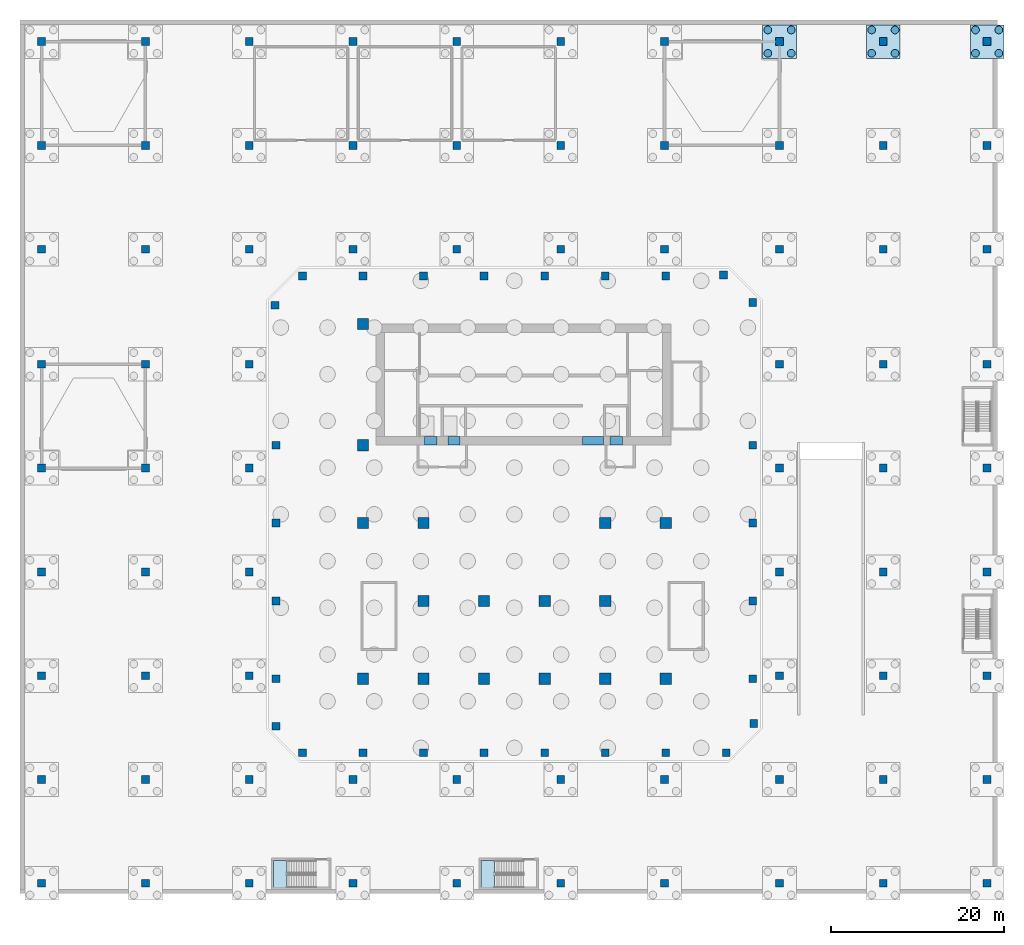
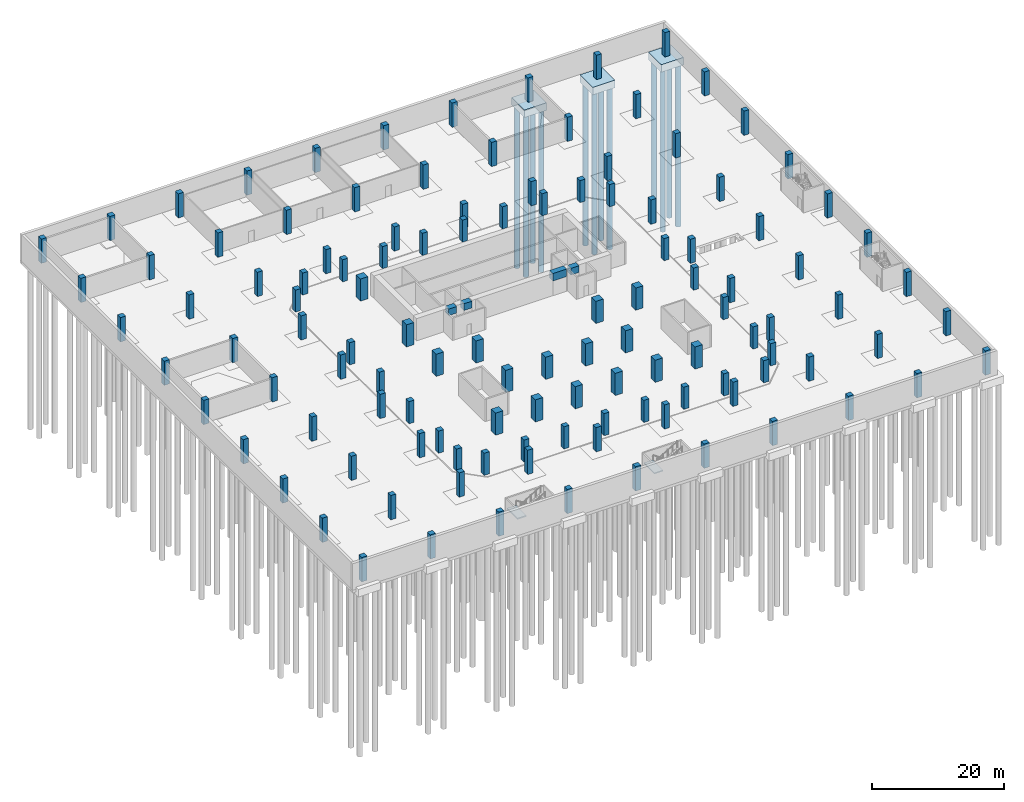
# One storey, part 4 of 15: 118 columns, 12 piles, 4 beams, 3 footings, 2 slabs, 2 elements without a shape of their own.
"""IFC4 building model written with IfcOpenShell, lengths in metres."""

from ifc_helpers import new_model, si_unit, direction, frame, origin, origin_2d, place, context, subcontext, project, spatial, polyline, rectangle, circle, outline, extrude, source, transform, mapped, material, layer, layer_set, material_profile, profile_set, type_object, element, aggregate, save


model = new_model("IFC4")

# Units and contexts
model_context = context("Model", 3, precision=1e-05, world=origin(), true_north=direction((0.0, 1.0)))
body_context = subcontext(model_context, "Body", "Model", "MODEL_VIEW")
ifc_project = project(units=[si_unit("LENGTHUNIT", "METRE"), si_unit("AREAUNIT", "SQUARE_METRE"), si_unit("VOLUMEUNIT", "CUBIC_METRE"), si_unit("PLANEANGLEUNIT", "RADIAN"), si_unit("MASSUNIT", "GRAM", prefix="KILO")], contexts=[model_context])

# Site, building, storey
site_placement = place(None, origin())
site = spatial("IfcSite", under=ifc_project, at=site_placement, CompositionType="ELEMENT")
building_placement = place(site_placement, origin())
building = spatial("IfcBuilding", under=site, at=building_placement, Name="Kilnfold Tower and Market Hall", CompositionType="ELEMENT")
storey_placement = place(building_placement, frame((0.0, 0.0, -9.0)))
storey = spatial("IfcBuildingStorey", under=building, at=storey_placement, Name="B2", CompositionType="ELEMENT", Elevation=-9.0)

# Footings
ifc_material_1 = material(Name="Concrete C40/50", Category="concrete")
footing_type = type_object("IfcFootingType", Name="HALL PILE CAP 3900X3900X1400", PredefinedType="PILE_CAP", material=ifc_material_1)
shared_shape_1 = source(origin(), body_context, "Body", "SweptSolid", [
    extrude(rectangle(XDim=3.89990234375, YDim=3.89990234375, at=origin_2d()), origin(), (0.0, 0.0, 1.0), 1.39990234375),
])
for number, where, z_axis, x_axis, name in (
    (1, (30.64990234375, 54.64990234375, -1.39990234375), (0.0, 0.0, 1.0), (1.0, 0.0, 0.0), "Pile cap PC56"),
    (2, (42.64990234375, 54.64990234375, -1.39990234375), (0.0, 0.0, 1.0), (1.0, 0.0, 0.0), "Pile cap PC65"),
    (3, (54.64990234375, 54.64990234375, -1.39990234375), (0.0, 0.0, 1.0), (1.0, 0.0, 0.0), "Pile cap PC74"),
):
    element("IfcFooting", number, at=place(storey_placement, frame(where, z_axis=z_axis, x_axis=x_axis)), inside=storey, type_object=footing_type, Name=name, PredefinedType="PILE_CAP", context=body_context, shape_type="MappedRepresentation", body=[
        mapped(shared_shape_1, transform((0.0, 0.0, 0.0))),
    ])

# Piles
ifc_material_2 = material(Name="Concrete C40/50", Category="concrete")
ifc_material_profile_1 = material_profile(ifc_material_2, circle(Radius=0.449951171875, at=origin_2d()), Name="D900")
ifc_profile_set_1 = profile_set([ifc_material_profile_1], Name="Concrete C40/50")
pile_type = type_object("IfcPileType", Name="HALL BORED PILE D900", PredefinedType="BORED", material=ifc_profile_set_1)
shared_shape_2 = source(origin(), body_context, "Body", "SweptSolid", [
    extrude(circle(Radius=0.449951171875, at=origin_2d()), origin(), (0.0, 0.0, 1.0), 30.0),
])
for number, where, z_axis, x_axis, name in (
    (4, (29.300048828125, 53.300048828125, -1.300048828125), (0.0, 0.0, -1.0), (1.0, 0.0, 0.0), "Bored pile HP221"),
    (5, (29.300048828125, 56.0, -1.300048828125), (0.0, 0.0, -1.0), (1.0, 0.0, 0.0), "Bored pile HP222"),
    (6, (32.0, 53.300048828125, -1.300048828125), (0.0, 0.0, -1.0), (1.0, 0.0, 0.0), "Bored pile HP223"),
    (7, (32.0, 56.0, -1.300048828125), (0.0, 0.0, -1.0), (1.0, 0.0, 0.0), "Bored pile HP224"),
    (8, (41.300048828125, 53.300048828125, -1.300048828125), (0.0, 0.0, -1.0), (1.0, 0.0, 0.0), "Bored pile HP257"),
    (9, (41.300048828125, 56.0, -1.300048828125), (0.0, 0.0, -1.0), (1.0, 0.0, 0.0), "Bored pile HP258"),
    (10, (44.0, 53.300048828125, -1.300048828125), (0.0, 0.0, -1.0), (1.0, 0.0, 0.0), "Bored pile HP259"),
    (11, (44.0, 56.0, -1.300048828125), (0.0, 0.0, -1.0), (1.0, 0.0, 0.0), "Bored pile HP260"),
    (12, (53.300048828125, 53.300048828125, -1.300048828125), (0.0, 0.0, -1.0), (1.0, 0.0, 0.0), "Bored pile HP293"),
    (13, (53.300048828125, 56.0, -1.300048828125), (0.0, 0.0, -1.0), (1.0, 0.0, 0.0), "Bored pile HP294"),
    (14, (56.0, 53.300048828125, -1.300048828125), (0.0, 0.0, -1.0), (1.0, 0.0, 0.0), "Bored pile HP295"),
    (15, (56.0, 56.0, -1.300048828125), (0.0, 0.0, -1.0), (1.0, 0.0, 0.0), "Bored pile HP296"),
):
    element("IfcPile", number, at=place(storey_placement, frame(where, z_axis=z_axis, x_axis=x_axis)), inside=storey, type_object=pile_type, Name=name, PredefinedType="BORED", context=body_context, shape_type="MappedRepresentation", body=[
        mapped(shared_shape_2, transform((0.0, 0.0, 0.0))),
    ])

# Columns
ifc_material_3 = material(Name="Concrete C80", Category="concrete")
ifc_material_profile_2 = material_profile(ifc_material_3, rectangle(XDim=0.89990234375, YDim=0.89990234375, at=origin_2d()), Name="RC 900x900")
ifc_profile_set_2 = profile_set([ifc_material_profile_2], Name="Concrete C80")
column_type_1 = type_object("IfcColumnType", Name="COLUMN 900X900 C80", PredefinedType="COLUMN", material=ifc_profile_set_2)
shared_shape_3 = source(origin(), body_context, "Body", "SweptSolid", [
    extrude(rectangle(XDim=0.89990234375, YDim=0.89990234375, at=origin_2d()), origin(), (0.0, 0.0, 1.0), 4.10009765625),
])
for number, where, z_axis, x_axis, name in (
    (16, (-27.681884765625, 24.181884765625, 0.0), (0.0, 0.0, 1.0), (1.0, 0.0, 0.0), "Column C-B1-1H"),
    (17, (-27.550048828125, -24.5, 0.0), (0.0, 0.0, 1.0), (1.0, 0.0, 0.0), "Column C-B1-1B"),
    (18, (-27.550048828125, -19.0, 0.0), (0.0, 0.0, 1.0), (1.0, 0.0, 0.0), "Column C-B1-1C"),
    (19, (-27.550048828125, -10.0, 0.0), (0.0, 0.0, 1.0), (1.0, 0.0, 0.0), "Column C-B1-1D"),
    (20, (-27.550048828125, -1.0, 0.0), (0.0, 0.0, 1.0), (1.0, 0.0, 0.0), "Column C-B1-1E"),
    (21, (-27.550048828125, 8.0, 0.0), (0.0, 0.0, 1.0), (1.0, 0.0, 0.0), "Column C-B1-1F"),
    (22, (-24.5, -27.550048828125, 0.0), (0.0, 0.0, 1.0), (1.0, 0.0, 0.0), "Column C-B1-2A"),
    (23, (-24.5, 27.550048828125, 0.0), (0.0, 0.0, 1.0), (1.0, 0.0, 0.0), "Column C-B1-2I"),
    (24, (-17.5, -27.550048828125, 0.0), (0.0, 0.0, 1.0), (1.0, 0.0, 0.0), "Column C-B1-3A"),
    (25, (-17.5, 27.550048828125, 0.0), (0.0, 0.0, 1.0), (1.0, 0.0, 0.0), "Column C-B1-3I"),
    (26, (-10.5, -27.550048828125, 0.0), (0.0, 0.0, 1.0), (1.0, 0.0, 0.0), "Column C-B1-4A"),
    (27, (-10.5, 27.550048828125, 0.0), (0.0, 0.0, 1.0), (1.0, 0.0, 0.0), "Column C-B1-4I"),
    (28, (-3.5, -27.550048828125, 0.0), (0.0, 0.0, 1.0), (1.0, 0.0, 0.0), "Column C-B1-5A"),
    (29, (-3.5, 27.550048828125, 0.0), (0.0, 0.0, 1.0), (1.0, 0.0, 0.0), "Column C-B1-5I"),
    (30, (3.5, -27.550048828125, 0.0), (0.0, 0.0, 1.0), (1.0, 0.0, 0.0), "Column C-B1-6A"),
    (31, (3.5, 27.550048828125, 0.0), (0.0, 0.0, 1.0), (1.0, 0.0, 0.0), "Column C-B1-6I"),
    (32, (10.5, -27.550048828125, 0.0), (0.0, 0.0, 1.0), (1.0, 0.0, 0.0), "Column C-B1-7A"),
    (33, (10.5, 27.550048828125, 0.0), (0.0, 0.0, 1.0), (1.0, 0.0, 0.0), "Column C-B1-7I"),
    (34, (17.5, -27.550048828125, 0.0), (0.0, 0.0, 1.0), (1.0, 0.0, 0.0), "Column C-B1-8A"),
    (35, (17.5, 27.550048828125, 0.0), (0.0, 0.0, 1.0), (1.0, 0.0, 0.0), "Column C-B1-8I"),
    (36, (24.181884765625, 27.681884765625, 0.0), (0.0, 0.0, 1.0), (1.0, 0.0, 0.0), "Column C-B1-9I"),
    (37, (24.5, -27.550048828125, 0.0), (0.0, 0.0, 1.0), (1.0, 0.0, 0.0), "Column C-B1-9A"),
    (38, (27.550048828125, -19.0, 0.0), (0.0, 0.0, 1.0), (1.0, 0.0, 0.0), "Column C-B1-10C"),
    (39, (27.550048828125, -10.0, 0.0), (0.0, 0.0, 1.0), (1.0, 0.0, 0.0), "Column C-B1-10D"),
    (40, (27.550048828125, -1.0, 0.0), (0.0, 0.0, 1.0), (1.0, 0.0, 0.0), "Column C-B1-10E"),
    (41, (27.550048828125, 8.0, 0.0), (0.0, 0.0, 1.0), (1.0, 0.0, 0.0), "Column C-B1-10F"),
    (42, (27.550048828125, 24.5, 0.0), (0.0, 0.0, 1.0), (1.0, 0.0, 0.0), "Column C-B1-10H"),
    (43, (27.681884765625, -24.181884765625, 0.0), (0.0, 0.0, 1.0), (1.0, 0.0, 0.0), "Column C-B1-10B"),
):
    element("IfcColumn", number, at=place(storey_placement, frame(where, z_axis=z_axis, x_axis=x_axis)), inside=storey, type_object=column_type_1, Name=name, PredefinedType="COLUMN", context=body_context, shape_type="MappedRepresentation", body=[
        mapped(shared_shape_3, transform((0.0, 0.0, 0.0))),
    ])
ifc_material_4 = material(Name="Concrete C80", Category="concrete")
ifc_material_profile_3 = material_profile(ifc_material_4, rectangle(XDim=1.300048828125, YDim=1.300048828125, at=origin_2d()), Name="RC 1300x1300")
ifc_profile_set_3 = profile_set([ifc_material_profile_3], Name="Concrete C80")
column_type_2 = type_object("IfcColumnType", Name="COLUMN 1300X1300 C80", PredefinedType="COLUMN", material=ifc_profile_set_3)
shared_shape_4 = source(origin(), body_context, "Body", "SweptSolid", [
    extrude(rectangle(XDim=1.300048828125, YDim=1.300048828125, at=origin_2d()), origin(), (0.0, 0.0, 1.0), 4.10009765625),
])
for number, where, z_axis, x_axis, name in (
    (44, (-17.5, -19.0, 0.0), (0.0, 0.0, 1.0), (1.0, 0.0, 0.0), "Column C-B1-3C"),
    (45, (-17.5, -1.0, 0.0), (0.0, 0.0, 1.0), (1.0, 0.0, 0.0), "Column C-B1-3E"),
    (46, (-17.5, 8.0, 0.0), (0.0, 0.0, 1.0), (1.0, 0.0, 0.0), "Column C-B1-3F"),
    (47, (-17.5, 22.0, 0.0), (0.0, 0.0, 1.0), (1.0, 0.0, 0.0), "Column C-B1-3G"),
    (48, (-10.5, -19.0, 0.0), (0.0, 0.0, 1.0), (1.0, 0.0, 0.0), "Column C-B1-4C"),
    (49, (-10.5, -10.0, 0.0), (0.0, 0.0, 1.0), (1.0, 0.0, 0.0), "Column C-B1-4D"),
    (50, (-10.5, -1.0, 0.0), (0.0, 0.0, 1.0), (1.0, 0.0, 0.0), "Column C-B1-4E"),
    (51, (-3.5, -19.0, 0.0), (0.0, 0.0, 1.0), (1.0, 0.0, 0.0), "Column C-B1-5C"),
    (52, (-3.5, -10.0, 0.0), (0.0, 0.0, 1.0), (1.0, 0.0, 0.0), "Column C-B1-5D"),
    (53, (3.5, -19.0, 0.0), (0.0, 0.0, 1.0), (1.0, 0.0, 0.0), "Column C-B1-6C"),
    (54, (3.5, -10.0, 0.0), (0.0, 0.0, 1.0), (1.0, 0.0, 0.0), "Column C-B1-6D"),
    (55, (10.5, -19.0, 0.0), (0.0, 0.0, 1.0), (1.0, 0.0, 0.0), "Column C-B1-7C"),
    (56, (10.5, -10.0, 0.0), (0.0, 0.0, 1.0), (1.0, 0.0, 0.0), "Column C-B1-7D"),
    (57, (10.5, -1.0, 0.0), (0.0, 0.0, 1.0), (1.0, 0.0, 0.0), "Column C-B1-7E"),
    (58, (17.5, -19.0, 0.0), (0.0, 0.0, 1.0), (1.0, 0.0, 0.0), "Column C-B1-8C"),
    (59, (17.5, -1.0, 0.0), (0.0, 0.0, 1.0), (1.0, 0.0, 0.0), "Column C-B1-8E"),
):
    element("IfcColumn", number, at=place(storey_placement, frame(where, z_axis=z_axis, x_axis=x_axis)), inside=storey, type_object=column_type_2, Name=name, PredefinedType="COLUMN", context=body_context, shape_type="MappedRepresentation", body=[
        mapped(shared_shape_4, transform((0.0, 0.0, 0.0))),
    ])
ifc_material_5 = material(Name="Concrete C60/75", Category="concrete")
ifc_material_profile_4 = material_profile(ifc_material_5, rectangle(XDim=0.89990234375, YDim=0.89990234375, at=origin_2d()), Name="RC 900x900")
ifc_profile_set_4 = profile_set([ifc_material_profile_4], Name="Concrete C60/75")
column_type_3 = type_object("IfcColumnType", Name="BASEMENT COLUMN 900", PredefinedType="COLUMN", material=ifc_profile_set_4)
shared_shape_5 = source(origin(), body_context, "Body", "SweptSolid", [
    extrude(rectangle(XDim=0.89990234375, YDim=0.89990234375, at=origin_2d()), origin(), (0.0, 0.0, 1.0), 4.5),
])
for number, where, z_axis, x_axis, name in (
    (60, (-54.64990234375, -42.64990234375, 0.0), (0.0, 0.0, 1.0), (1.0, 0.0, 0.0), "Basement column MC-1A"),
    (61, (-54.64990234375, -30.64990234375, 0.0), (0.0, 0.0, 1.0), (1.0, 0.0, 0.0), "Basement column MC-1B"),
    (62, (-54.64990234375, -18.64990234375, 0.0), (0.0, 0.0, 1.0), (1.0, 0.0, 0.0), "Basement column MC-1C"),
    (63, (-54.64990234375, -6.64990234375, 0.0), (0.0, 0.0, 1.0), (1.0, 0.0, 0.0), "Basement column MC-1D"),
    (64, (-54.64990234375, 5.35009765625, 0.0), (0.0, 0.0, 1.0), (1.0, 0.0, 0.0), "Basement column MC-1E"),
    (65, (-54.64990234375, 17.35009765625, 0.0), (0.0, 0.0, 1.0), (1.0, 0.0, 0.0), "Basement column MC-1F"),
    (66, (-54.64990234375, 30.64990234375, 0.0), (0.0, 0.0, 1.0), (1.0, 0.0, 0.0), "Basement column MC-1G"),
    (67, (-54.64990234375, 42.64990234375, 0.0), (0.0, 0.0, 1.0), (1.0, 0.0, 0.0), "Basement column MC-1H"),
    (68, (-54.64990234375, 54.64990234375, 0.0), (0.0, 0.0, 1.0), (1.0, 0.0, 0.0), "Basement column MC-1I"),
    (69, (-42.64990234375, -42.64990234375, 0.0), (0.0, 0.0, 1.0), (1.0, 0.0, 0.0), "Basement column MC-2A"),
    (70, (-42.64990234375, -30.64990234375, 0.0), (0.0, 0.0, 1.0), (1.0, 0.0, 0.0), "Basement column MC-2B"),
    (71, (-42.64990234375, -18.64990234375, 0.0), (0.0, 0.0, 1.0), (1.0, 0.0, 0.0), "Basement column MC-2C"),
    (72, (-42.64990234375, -6.64990234375, 0.0), (0.0, 0.0, 1.0), (1.0, 0.0, 0.0), "Basement column MC-2D"),
    (73, (-42.64990234375, 5.35009765625, 0.0), (0.0, 0.0, 1.0), (1.0, 0.0, 0.0), "Basement column MC-2E"),
    (74, (-42.64990234375, 17.35009765625, 0.0), (0.0, 0.0, 1.0), (1.0, 0.0, 0.0), "Basement column MC-2F"),
    (75, (-42.64990234375, 30.64990234375, 0.0), (0.0, 0.0, 1.0), (1.0, 0.0, 0.0), "Basement column MC-2G"),
    (76, (-42.64990234375, 42.64990234375, 0.0), (0.0, 0.0, 1.0), (1.0, 0.0, 0.0), "Basement column MC-2H"),
    (77, (-42.64990234375, 54.64990234375, 0.0), (0.0, 0.0, 1.0), (1.0, 0.0, 0.0), "Basement column MC-2I"),
    (78, (-30.64990234375, -42.64990234375, 0.0), (0.0, 0.0, 1.0), (1.0, 0.0, 0.0), "Basement column MC-3A"),
    (79, (-30.64990234375, -30.64990234375, 0.0), (0.0, 0.0, 1.0), (1.0, 0.0, 0.0), "Basement column MC-3B"),
    (80, (-30.64990234375, -18.64990234375, 0.0), (0.0, 0.0, 1.0), (1.0, 0.0, 0.0), "Basement column MC-3C"),
    (81, (-30.64990234375, -6.64990234375, 0.0), (0.0, 0.0, 1.0), (1.0, 0.0, 0.0), "Basement column MC-3D"),
    (82, (-30.64990234375, 5.35009765625, 0.0), (0.0, 0.0, 1.0), (1.0, 0.0, 0.0), "Basement column MC-3E"),
    (83, (-30.64990234375, 17.35009765625, 0.0), (0.0, 0.0, 1.0), (1.0, 0.0, 0.0), "Basement column MC-3F"),
    (84, (-30.64990234375, 30.64990234375, 0.0), (0.0, 0.0, 1.0), (1.0, 0.0, 0.0), "Basement column MC-3G"),
    (85, (-30.64990234375, 42.64990234375, 0.0), (0.0, 0.0, 1.0), (1.0, 0.0, 0.0), "Basement column MC-3H"),
    (86, (-30.64990234375, 54.64990234375, 0.0), (0.0, 0.0, 1.0), (1.0, 0.0, 0.0), "Basement column MC-3I"),
    (87, (-18.64990234375, -42.64990234375, 0.0), (0.0, 0.0, 1.0), (1.0, 0.0, 0.0), "Basement column MC-4A"),
    (88, (-18.64990234375, -30.64990234375, 0.0), (0.0, 0.0, 1.0), (1.0, 0.0, 0.0), "Basement column MC-4B"),
    (89, (-18.64990234375, 30.64990234375, 0.0), (0.0, 0.0, 1.0), (1.0, 0.0, 0.0), "Basement column MC-4G"),
    (90, (-18.64990234375, 42.64990234375, 0.0), (0.0, 0.0, 1.0), (1.0, 0.0, 0.0), "Basement column MC-4H"),
    (91, (-18.64990234375, 54.64990234375, 0.0), (0.0, 0.0, 1.0), (1.0, 0.0, 0.0), "Basement column MC-4I"),
    (92, (-6.64990234375, -42.64990234375, 0.0), (0.0, 0.0, 1.0), (1.0, 0.0, 0.0), "Basement column MC-5A"),
    (93, (-6.64990234375, -30.64990234375, 0.0), (0.0, 0.0, 1.0), (1.0, 0.0, 0.0), "Basement column MC-5B"),
    (94, (-6.64990234375, 30.64990234375, 0.0), (0.0, 0.0, 1.0), (1.0, 0.0, 0.0), "Basement column MC-5G"),
    (95, (-6.64990234375, 42.64990234375, 0.0), (0.0, 0.0, 1.0), (1.0, 0.0, 0.0), "Basement column MC-5H"),
    (96, (-6.64990234375, 54.64990234375, 0.0), (0.0, 0.0, 1.0), (1.0, 0.0, 0.0), "Basement column MC-5I"),
    (97, (5.35009765625, -42.64990234375, 0.0), (0.0, 0.0, 1.0), (1.0, 0.0, 0.0), "Basement column MC-6A"),
    (98, (5.35009765625, -30.64990234375, 0.0), (0.0, 0.0, 1.0), (1.0, 0.0, 0.0), "Basement column MC-6B"),
    (99, (5.35009765625, 30.64990234375, 0.0), (0.0, 0.0, 1.0), (1.0, 0.0, 0.0), "Basement column MC-6G"),
    (100, (5.35009765625, 42.64990234375, 0.0), (0.0, 0.0, 1.0), (1.0, 0.0, 0.0), "Basement column MC-6H"),
    (101, (5.35009765625, 54.64990234375, 0.0), (0.0, 0.0, 1.0), (1.0, 0.0, 0.0), "Basement column MC-6I"),
    (102, (17.35009765625, -42.64990234375, 0.0), (0.0, 0.0, 1.0), (1.0, 0.0, 0.0), "Basement column MC-7A"),
    (103, (17.35009765625, -30.64990234375, 0.0), (0.0, 0.0, 1.0), (1.0, 0.0, 0.0), "Basement column MC-7B"),
    (104, (17.35009765625, 30.64990234375, 0.0), (0.0, 0.0, 1.0), (1.0, 0.0, 0.0), "Basement column MC-7G"),
    (105, (17.35009765625, 42.64990234375, 0.0), (0.0, 0.0, 1.0), (1.0, 0.0, 0.0), "Basement column MC-7H"),
    (106, (17.35009765625, 54.64990234375, 0.0), (0.0, 0.0, 1.0), (1.0, 0.0, 0.0), "Basement column MC-7I"),
    (107, (30.64990234375, -42.64990234375, 0.0), (0.0, 0.0, 1.0), (1.0, 0.0, 0.0), "Basement column MC-8A"),
    (108, (30.64990234375, -30.64990234375, 0.0), (0.0, 0.0, 1.0), (1.0, 0.0, 0.0), "Basement column MC-8B"),
    (109, (30.64990234375, -18.64990234375, 0.0), (0.0, 0.0, 1.0), (1.0, 0.0, 0.0), "Basement column MC-8C"),
    (110, (30.64990234375, -6.64990234375, 0.0), (0.0, 0.0, 1.0), (1.0, 0.0, 0.0), "Basement column MC-8D"),
    (111, (30.64990234375, 5.35009765625, 0.0), (0.0, 0.0, 1.0), (1.0, 0.0, 0.0), "Basement column MC-8E"),
    (112, (30.64990234375, 17.35009765625, 0.0), (0.0, 0.0, 1.0), (1.0, 0.0, 0.0), "Basement column MC-8F"),
    (113, (30.64990234375, 30.64990234375, 0.0), (0.0, 0.0, 1.0), (1.0, 0.0, 0.0), "Basement column MC-8G"),
    (114, (30.64990234375, 42.64990234375, 0.0), (0.0, 0.0, 1.0), (1.0, 0.0, 0.0), "Basement column MC-8H"),
    (115, (30.64990234375, 54.64990234375, 0.0), (0.0, 0.0, 1.0), (1.0, 0.0, 0.0), "Basement column MC-8I"),
    (116, (42.64990234375, -42.64990234375, 0.0), (0.0, 0.0, 1.0), (1.0, 0.0, 0.0), "Basement column MC-9A"),
    (117, (42.64990234375, -30.64990234375, 0.0), (0.0, 0.0, 1.0), (1.0, 0.0, 0.0), "Basement column MC-9B"),
    (118, (42.64990234375, -18.64990234375, 0.0), (0.0, 0.0, 1.0), (1.0, 0.0, 0.0), "Basement column MC-9C"),
    (119, (42.64990234375, -6.64990234375, 0.0), (0.0, 0.0, 1.0), (1.0, 0.0, 0.0), "Basement column MC-9D"),
    (120, (42.64990234375, 5.35009765625, 0.0), (0.0, 0.0, 1.0), (1.0, 0.0, 0.0), "Basement column MC-9E"),
    (121, (42.64990234375, 17.35009765625, 0.0), (0.0, 0.0, 1.0), (1.0, 0.0, 0.0), "Basement column MC-9F"),
    (122, (42.64990234375, 30.64990234375, 0.0), (0.0, 0.0, 1.0), (1.0, 0.0, 0.0), "Basement column MC-9G"),
    (123, (42.64990234375, 42.64990234375, 0.0), (0.0, 0.0, 1.0), (1.0, 0.0, 0.0), "Basement column MC-9H"),
    (124, (42.64990234375, 54.64990234375, 0.0), (0.0, 0.0, 1.0), (1.0, 0.0, 0.0), "Basement column MC-9I"),
    (125, (54.64990234375, -42.64990234375, 0.0), (0.0, 0.0, 1.0), (1.0, 0.0, 0.0), "Basement column MC-10A"),
    (126, (54.64990234375, -30.64990234375, 0.0), (0.0, 0.0, 1.0), (1.0, 0.0, 0.0), "Basement column MC-10B"),
    (127, (54.64990234375, -18.64990234375, 0.0), (0.0, 0.0, 1.0), (1.0, 0.0, 0.0), "Basement column MC-10C"),
    (128, (54.64990234375, -6.64990234375, 0.0), (0.0, 0.0, 1.0), (1.0, 0.0, 0.0), "Basement column MC-10D"),
    (129, (54.64990234375, 5.35009765625, 0.0), (0.0, 0.0, 1.0), (1.0, 0.0, 0.0), "Basement column MC-10E"),
    (130, (54.64990234375, 17.35009765625, 0.0), (0.0, 0.0, 1.0), (1.0, 0.0, 0.0), "Basement column MC-10F"),
    (131, (54.64990234375, 30.64990234375, 0.0), (0.0, 0.0, 1.0), (1.0, 0.0, 0.0), "Basement column MC-10G"),
    (132, (54.64990234375, 42.64990234375, 0.0), (0.0, 0.0, 1.0), (1.0, 0.0, 0.0), "Basement column MC-10H"),
    (133, (54.64990234375, 54.64990234375, 0.0), (0.0, 0.0, 1.0), (1.0, 0.0, 0.0), "Basement column MC-10I"),
):
    element("IfcColumn", number, at=place(storey_placement, frame(where, z_axis=z_axis, x_axis=x_axis)), inside=storey, type_object=column_type_3, Name=name, PredefinedType="COLUMN", context=body_context, shape_type="MappedRepresentation", body=[
        mapped(shared_shape_5, transform((0.0, 0.0, 0.0))),
    ])

# Beams
ifc_material_6 = material(Name="Concrete C80", Category="concrete")
ifc_material_profile_5 = material_profile(ifc_material_6, rectangle(XDim=1.0, YDim=1.199951171875, at=origin_2d()), Name="RC 1000x1200")
ifc_profile_set_5 = profile_set([ifc_material_profile_5], Name="Concrete C80")
beam_type_1 = type_object("IfcBeamType", Name="COUPLING BEAM 1000X1200 C80", PredefinedType="BEAM", material=ifc_profile_set_5)
shared_shape_6 = source(origin(), body_context, "Body", "SweptSolid", [
    extrude(rectangle(XDim=1.0, YDim=1.199951171875, at=origin_2d()), origin(), (0.0, 0.0, 1.0), 1.400146484375),
])
beam_1_placement = place(storey_placement, frame((-10.3701171875, 8.5, 3.300048828125), z_axis=(1.0, 0.0, 0.0), x_axis=(0.0, 1.0, 0.0)))
element("IfcBeam", 134, at=beam_1_placement, inside=storey, type_object=beam_type_1, Name="Coupling beam CB1200-80-CORE.28", PredefinedType="BEAM", context=body_context, shape_type="MappedRepresentation", body=[
    mapped(shared_shape_6, transform((0.0, 0.0, 0.0))),
])
ifc_material_7 = material(Name="Concrete C80", Category="concrete")
ifc_material_profile_6 = material_profile(ifc_material_7, rectangle(XDim=1.0, YDim=1.25, at=origin_2d()), Name="RC 1000x1250")
ifc_profile_set_6 = profile_set([ifc_material_profile_6], Name="Concrete C80")
beam_type_2 = type_object("IfcBeamType", Name="COUPLING BEAM 1000X1250 C80", PredefinedType="BEAM", material=ifc_profile_set_6)
shared_shape_7 = source(origin(), body_context, "Body", "SweptSolid", [
    extrude(rectangle(XDim=1.0, YDim=1.25, at=origin_2d()), origin(), (0.0, 0.0, 1.0), 1.39990234375),
])
for number, where, z_axis, x_axis, name in (
    (135, (-7.68994140625, 8.5, 3.324951171875), (1.0, 0.0, 0.0), (0.0, 1.0, 0.0), "Coupling beam CB1250-80-CORE.29"),
    (136, (11.070068359375, 8.5, 3.324951171875), (1.0, 0.0, 0.0), (0.0, 1.0, 0.0), "Coupling beam CB1250-80-CORE.31"),
):
    element("IfcBeam", number, at=place(storey_placement, frame(where, z_axis=z_axis, x_axis=x_axis)), inside=storey, type_object=beam_type_2, Name=name, PredefinedType="BEAM", context=body_context, shape_type="MappedRepresentation", body=[
        mapped(shared_shape_7, transform((0.0, 0.0, 0.0))),
    ])
ifc_material_8 = material(Name="Concrete C80", Category="concrete")
ifc_material_profile_7 = material_profile(ifc_material_8, rectangle(XDim=1.0, YDim=1.39990234375, at=origin_2d()), Name="RC 1000x1400")
ifc_profile_set_7 = profile_set([ifc_material_profile_7], Name="Concrete C80")
beam_type_3 = type_object("IfcBeamType", Name="COUPLING BEAM 1000X1400 C80", PredefinedType="BEAM", material=ifc_profile_set_7)
shared_shape_8 = source(origin(), body_context, "Body", "SweptSolid", [
    extrude(rectangle(XDim=1.0, YDim=1.39990234375, at=origin_2d()), origin(), (0.0, 0.0, 1.0), 2.400146484375),
])
beam_2_placement = place(storey_placement, frame((7.889892578125, 8.5, 3.39990234375), z_axis=(1.0, 0.0, 0.0), x_axis=(0.0, 1.0, 0.0)))
element("IfcBeam", 137, at=beam_2_placement, inside=storey, type_object=beam_type_3, Name="Coupling beam CB1400-80-CORE.30", PredefinedType="BEAM", context=body_context, shape_type="MappedRepresentation", body=[
    mapped(shared_shape_8, transform((0.0, 0.0, 0.0))),
])

# Stair, slab
ifc_material_9 = material(Name="Concrete C40/50", Category="concrete")
stair_type = type_object("IfcStairType", Name="CAR PARK STAIR 1500", PredefinedType="HALF_TURN_STAIR", material=ifc_material_9)
stair_1_placement = place(storey_placement, origin())
stair_1 = element("IfcStair", 138, at=stair_1_placement, inside=storey, type_object=stair_type, Name="B2 CS1", PredefinedType="HALF_TURN_STAIR")
ifc_material_10 = material(Name="Concrete C40/50", Category="concrete")
ifc_layer = layer(ifc_material_10, 0.199951171875)
ifc_layer_set = layer_set([ifc_layer], Name="Concrete C40/50")
slab_type = type_object("IfcSlabType", Name="CAR PARK STAIR LANDING 200", PredefinedType="LANDING", material=ifc_layer_set)
shared_shape_9 = source(origin(), body_context, "Body", "SweptSolid", [
    extrude(outline(polyline([(-26.31005859375, -40.0), (-27.85009765625, -40.0), (-27.85009765625, -43.14990234375), (-26.31005859375, -43.14990234375), (-26.31005859375, -40.0)])), origin(), (0.0, 0.0, 1.0), 0.199951171875),
])
slab_1_placement = place(storey_placement, frame((0.0, 0.0, 2.050048828125)))
slab_1 = element("IfcSlab", 139, at=slab_1_placement, type_object=slab_type, Name="CS1 landing 1", PredefinedType="LANDING", context=body_context, shape_type="MappedRepresentation", body=[
    mapped(shared_shape_9, transform((0.0, 0.0, 0.0))),
])
aggregate(stair_1, [slab_1])

stair_2_placement = place(storey_placement, origin())
stair_2 = element("IfcStair", 140, at=stair_2_placement, inside=storey, type_object=stair_type, Name="B2 CS2", PredefinedType="HALF_TURN_STAIR")
shared_shape_10 = source(origin(), body_context, "Body", "SweptSolid", [
    extrude(outline(polyline([(-2.31005859375, -40.0), (-3.85009765625, -40.0), (-3.85009765625, -43.14990234375), (-2.31005859375, -43.14990234375), (-2.31005859375, -40.0)])), origin(), (0.0, 0.0, 1.0), 0.199951171875),
])
slab_2_placement = place(storey_placement, frame((0.0, 0.0, 2.050048828125)))
slab_2 = element("IfcSlab", 141, at=slab_2_placement, type_object=slab_type, Name="CS2 landing 1", PredefinedType="LANDING", context=body_context, shape_type="MappedRepresentation", body=[
    mapped(shared_shape_10, transform((0.0, 0.0, 0.0))),
])
aggregate(stair_2, [slab_2])

save(model, "model.ifc")
